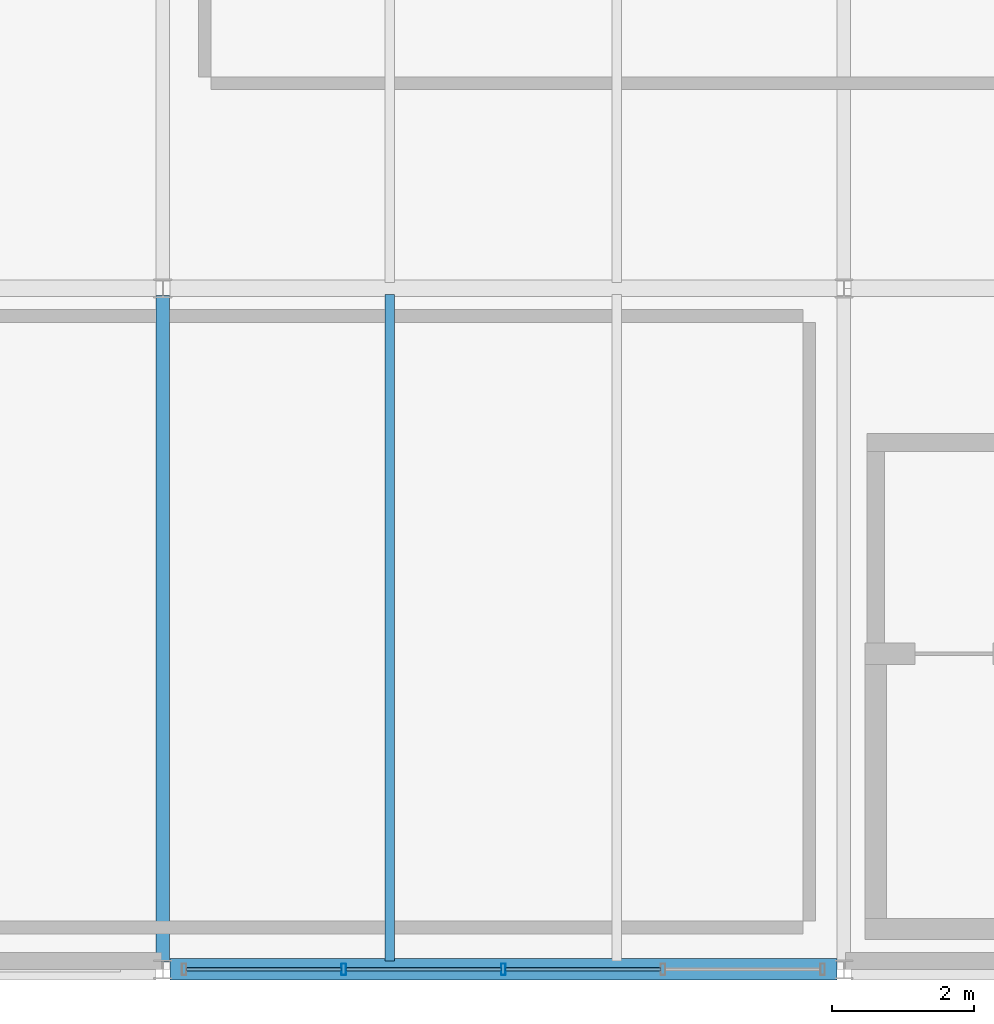
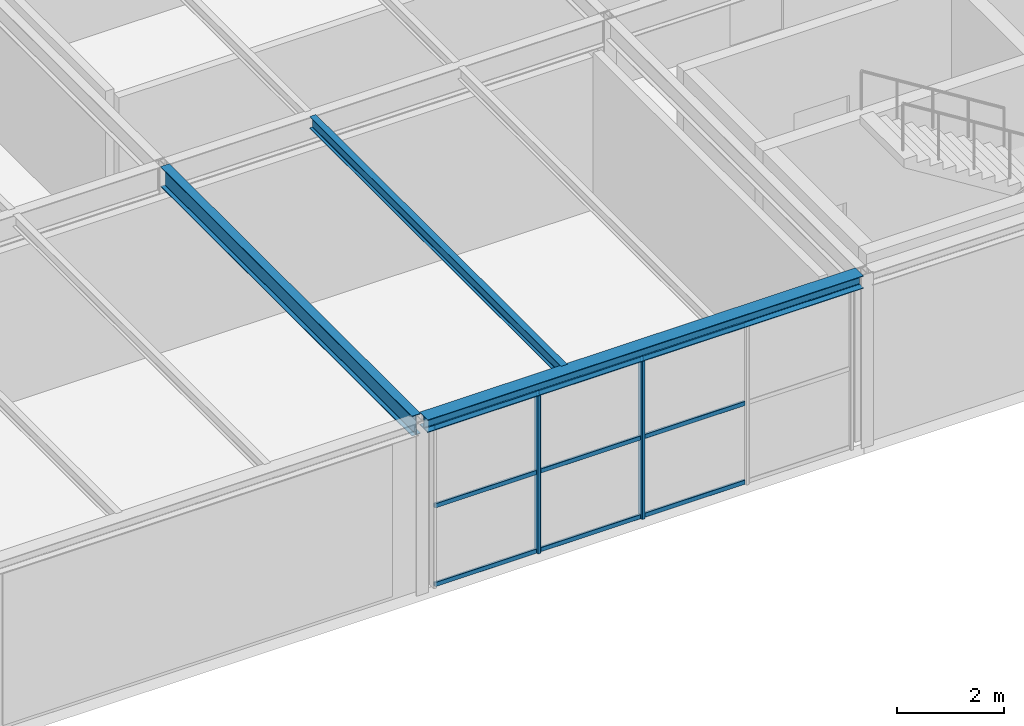
# One storey, part 6 of 39: 11 members, 3 beams, 1 element without a shape of its own.
"""IFC4 building model written with IfcOpenShell, lengths in metres."""

from ifc_helpers import new_model, si_unit, direction, frame, origin, origin_2d, place, context, subcontext, project, spatial, hollow_rectangle, i_section, extrude, material, material_profile, profile_set, type_object, element, aggregate, save


model = new_model("IFC4")

# Units and contexts
model_context = context("Model", 3, precision=1e-05, world=origin(), true_north=direction((0.0, 1.0)))
body_context = subcontext(model_context, "Body", "Model", "MODEL_VIEW")
ifc_project = project(units=[si_unit("LENGTHUNIT", "METRE"), si_unit("AREAUNIT", "SQUARE_METRE"), si_unit("VOLUMEUNIT", "CUBIC_METRE"), si_unit("PLANEANGLEUNIT", "RADIAN"), si_unit("MASSUNIT", "GRAM", prefix="KILO")], contexts=[model_context])

# Site, building, storey
site_placement = place(None, origin())
site = spatial("IfcSite", under=ifc_project, at=site_placement, CompositionType="ELEMENT")
building_placement = place(site_placement, origin())
building = spatial("IfcBuilding", under=site, at=building_placement, Name="Coralgate Yard Interchange", CompositionType="ELEMENT")
storey_placement = place(building_placement, frame((0.0, 0.0, 18.89990234375)))
storey = spatial("IfcBuildingStorey", under=building, at=storey_placement, Name="L04", CompositionType="ELEMENT", Elevation=18.89990234375)

# Beams
ifc_material_1 = material(Name="Structural steel S355J2", Category="steel")
ifc_material_profile_1 = material_profile(ifc_material_1, i_section(OverallWidth=0.1904296875, OverallDepth=0.45703125, WebThickness=0.009033203125, FlangeThickness=0.014404296875, FilletRadius=0.01025390625, at=origin_2d()), Name="UB 457x191x74")
ifc_profile_set_1 = profile_set([ifc_material_profile_1], Name="Structural steel S355J2")
beam_type_1 = type_object("IfcBeamType", Name="BM-SB-2", PredefinedType="BEAM", material=ifc_profile_set_1)
beam_1_placement = place(storey_placement, frame((9.60009765625, 0.103271484375, 3.7216796875), z_axis=(0.0, 1.0, 0.0), x_axis=(-1.0, 0.0, 0.0)))
element("IfcBeam", 1, at=beam_1_placement, inside=storey, type_object=beam_type_1, Name="L04 primary grid girder X1 Y0-1", PredefinedType="BEAM", context=body_context, shape_type="SweptSolid", body=[
    extrude(i_section(OverallWidth=0.1904296875, OverallDepth=0.45703125, WebThickness=0.009033203125, FlangeThickness=0.014404296875, FilletRadius=0.01025390625, at=origin_2d()), origin(), (0.0, 0.0, 1.0), 9.393310546875),
])
ifc_material_profile_2 = material_profile(ifc_material_1, i_section(OverallWidth=0.135009765625, OverallDepth=0.27001953125, WebThickness=0.006591796875, FlangeThickness=0.01025390625, FilletRadius=0.014892578125, at=origin_2d()), Name="IPE 270")
ifc_profile_set_2 = profile_set([ifc_material_profile_2], Name="Structural steel S355J2")
beam_type_2 = type_object("IfcBeamType", Name="BM-SJ-3", PredefinedType="JOIST", material=ifc_profile_set_2)
beam_2_placement = place(storey_placement, frame((12.800048828125, 0.1201171875, 3.815185546875), z_axis=(0.0, 1.0, 0.0), x_axis=(-1.0, 0.0, 0.0)))
element("IfcBeam", 2, at=beam_2_placement, inside=storey, type_object=beam_type_2, Name="L04 composite floor joist 1-0-1", PredefinedType="JOIST", context=body_context, shape_type="SweptSolid", body=[
    extrude(i_section(OverallWidth=0.135009765625, OverallDepth=0.27001953125, WebThickness=0.006591796875, FlangeThickness=0.01025390625, FilletRadius=0.014892578125, at=origin_2d()), origin(), (0.0, 0.0, 1.0), 9.395751953125),
])
ifc_material_profile_3 = material_profile(ifc_material_1, i_section(OverallWidth=0.300048828125, OverallDepth=0.2900390625, WebThickness=0.008544921875, FlangeThickness=0.013916015625, FilletRadius=0.027099609375, at=origin_2d()), Name="HEA 300")
ifc_profile_set_3 = profile_set([ifc_material_profile_3], Name="Structural steel S355J2")
beam_type_3 = type_object("IfcBeamType", Name="BM-SP-2", PredefinedType="SPANDREL", material=ifc_profile_set_3)
beam_3_placement = place(storey_placement, frame((9.699462890625, 0.0, 3.80517578125), z_axis=(1.0, 0.0, 0.0), x_axis=(0.0, 1.0, 0.0)))
element("IfcBeam", 3, at=beam_3_placement, inside=storey, type_object=beam_type_3, Name="L04 primary grid beam Y0 X1-2", PredefinedType="SPANDREL", context=body_context, shape_type="SweptSolid", body=[
    extrude(i_section(OverallWidth=0.300048828125, OverallDepth=0.2900390625, WebThickness=0.008544921875, FlangeThickness=0.013916015625, FilletRadius=0.027099609375, at=origin_2d()), origin(), (0.0, 0.0, 1.0), 9.401123046875),
])

# Curtain wall, members
ifc_material_2 = material(Name="Anodised coastal aluminium and solar-control low-E glass", Category="aluminium")
curtain_wall_type = type_object("IfcCurtainWallType", Name="CW-CW-L04-A", PredefinedType="NOTDEFINED", material=ifc_material_2)
curtain_wall_placement = place(storey_placement, origin())
curtain_wall = element("IfcCurtainWall", 4, at=curtain_wall_placement, inside=storey, type_object=curtain_wall_type, Name="L04 unitised curtain wall CW-L04-S-01-00", PredefinedType="NOTDEFINED")
ifc_material_3 = material(Name="Anodised coastal aluminium 6063-T6", Category="aluminium")
ifc_material_profile_4 = material_profile(ifc_material_3, hollow_rectangle(XDim=0.06494140625, YDim=0.159912109375, WallThickness=0.00390625, InnerFilletRadius=0.00390625, OuterFilletRadius=0.008056640625, at=origin_2d()), Name="ALU 65x160x4")
ifc_profile_set_4 = profile_set([ifc_material_profile_4], Name="Anodised coastal aluminium 6063-T6")
member_type_1 = type_object("IfcMemberType", Name="MB-MUL-160", PredefinedType="MULLION", material=ifc_profile_set_4)
member_1_placement = place(storey_placement, frame((14.39990234375, 0.0, 0.0), z_axis=(0.0, 0.0, 1.0), x_axis=(1.0, 0.0, 0.0)))
member_1 = element("IfcMember", 5, at=member_1_placement, type_object=member_type_1, Name="CW-L04-S-01-00 vertical mullion 3", PredefinedType="MULLION", context=body_context, shape_type="SweptSolid", body=[
    extrude(hollow_rectangle(XDim=0.06494140625, YDim=0.159912109375, WallThickness=0.00390625, InnerFilletRadius=0.00390625, OuterFilletRadius=0.008056640625, at=origin_2d()), origin(), (0.0, 0.0, 1.0), 3.66015625),
])
member_2_placement = place(storey_placement, frame((12.14990234375, 0.0, 0.0), z_axis=(0.0, 0.0, 1.0), x_axis=(1.0, 0.0, 0.0)))
member_2 = element("IfcMember", 6, at=member_2_placement, type_object=member_type_1, Name="CW-L04-S-01-00 vertical mullion 4", PredefinedType="MULLION", context=body_context, shape_type="SweptSolid", body=[
    extrude(hollow_rectangle(XDim=0.06494140625, YDim=0.159912109375, WallThickness=0.00390625, InnerFilletRadius=0.00390625, OuterFilletRadius=0.008056640625, at=origin_2d()), origin(), (0.0, 0.0, 1.0), 3.66015625),
])
ifc_material_profile_5 = material_profile(ifc_material_3, hollow_rectangle(XDim=0.050048828125, YDim=0.10009765625, WallThickness=0.0029296875, InnerFilletRadius=0.0029296875, OuterFilletRadius=0.006103515625, at=origin_2d()), Name="ALU 50x100x3")
ifc_profile_set_5 = profile_set([ifc_material_profile_5], Name="Anodised coastal aluminium 6063-T6")
member_type_2 = type_object("IfcMemberType", Name="MB-TRN-100", PredefinedType="USERDEFINED", material=ifc_profile_set_5)
member_3_placement = place(storey_placement, frame((16.6201171875, 0.0, 0.03515625), z_axis=(-1.0, 0.0, 0.0), x_axis=(0.0, -1.0, 0.0)))
member_3 = element("IfcMember", 7, at=member_3_placement, type_object=member_type_2, Name="CW-L04-S-01-00 horizontal transom 2-1", ObjectType="TRANSOM", PredefinedType="USERDEFINED", context=body_context, shape_type="SweptSolid", body=[
    extrude(hollow_rectangle(XDim=0.050048828125, YDim=0.10009765625, WallThickness=0.0029296875, InnerFilletRadius=0.0029296875, OuterFilletRadius=0.006103515625, at=origin_2d()), origin(), (0.0, 0.0, 1.0), 2.190185546875),
])
member_4_placement = place(storey_placement, frame((16.6201171875, 0.0, 1.830078125), z_axis=(-1.0, 0.0, 0.0), x_axis=(0.0, -1.0, 0.0)))
member_4 = element("IfcMember", 8, at=member_4_placement, type_object=member_type_2, Name="CW-L04-S-01-00 horizontal transom 2-2", ObjectType="TRANSOM", PredefinedType="USERDEFINED", context=body_context, shape_type="SweptSolid", body=[
    extrude(hollow_rectangle(XDim=0.050048828125, YDim=0.10009765625, WallThickness=0.0029296875, InnerFilletRadius=0.0029296875, OuterFilletRadius=0.006103515625, at=origin_2d()), origin(), (0.0, 0.0, 1.0), 2.190185546875),
])
member_5_placement = place(storey_placement, frame((16.6201171875, 0.0, 3.625), z_axis=(-1.0, 0.0, 0.0), x_axis=(0.0, -1.0, 0.0)))
member_5 = element("IfcMember", 9, at=member_5_placement, type_object=member_type_2, Name="CW-L04-S-01-00 horizontal transom 2-3", ObjectType="TRANSOM", PredefinedType="USERDEFINED", context=body_context, shape_type="SweptSolid", body=[
    extrude(hollow_rectangle(XDim=0.050048828125, YDim=0.10009765625, WallThickness=0.0029296875, InnerFilletRadius=0.0029296875, OuterFilletRadius=0.006103515625, at=origin_2d()), origin(), (0.0, 0.0, 1.0), 2.190185546875),
])
member_6_placement = place(storey_placement, frame((14.3701171875, 0.0, 0.03515625), z_axis=(-1.0, 0.0, 0.0), x_axis=(0.0, -1.0, 0.0)))
member_6 = element("IfcMember", 10, at=member_6_placement, type_object=member_type_2, Name="CW-L04-S-01-00 horizontal transom 3-1", ObjectType="TRANSOM", PredefinedType="USERDEFINED", context=body_context, shape_type="SweptSolid", body=[
    extrude(hollow_rectangle(XDim=0.050048828125, YDim=0.10009765625, WallThickness=0.0029296875, InnerFilletRadius=0.0029296875, OuterFilletRadius=0.006103515625, at=origin_2d()), origin(), (0.0, 0.0, 1.0), 2.190185546875),
])
member_7_placement = place(storey_placement, frame((14.3701171875, 0.0, 1.830078125), z_axis=(-1.0, 0.0, 0.0), x_axis=(0.0, -1.0, 0.0)))
member_7 = element("IfcMember", 11, at=member_7_placement, type_object=member_type_2, Name="CW-L04-S-01-00 horizontal transom 3-2", ObjectType="TRANSOM", PredefinedType="USERDEFINED", context=body_context, shape_type="SweptSolid", body=[
    extrude(hollow_rectangle(XDim=0.050048828125, YDim=0.10009765625, WallThickness=0.0029296875, InnerFilletRadius=0.0029296875, OuterFilletRadius=0.006103515625, at=origin_2d()), origin(), (0.0, 0.0, 1.0), 2.190185546875),
])
member_8_placement = place(storey_placement, frame((14.3701171875, 0.0, 3.625), z_axis=(-1.0, 0.0, 0.0), x_axis=(0.0, -1.0, 0.0)))
member_8 = element("IfcMember", 12, at=member_8_placement, type_object=member_type_2, Name="CW-L04-S-01-00 horizontal transom 3-3", ObjectType="TRANSOM", PredefinedType="USERDEFINED", context=body_context, shape_type="SweptSolid", body=[
    extrude(hollow_rectangle(XDim=0.050048828125, YDim=0.10009765625, WallThickness=0.0029296875, InnerFilletRadius=0.0029296875, OuterFilletRadius=0.006103515625, at=origin_2d()), origin(), (0.0, 0.0, 1.0), 2.190185546875),
])
member_9_placement = place(storey_placement, frame((12.1201171875, 0.0, 0.03515625), z_axis=(-1.0, 0.0, 0.0), x_axis=(0.0, -1.0, 0.0)))
member_9 = element("IfcMember", 13, at=member_9_placement, type_object=member_type_2, Name="CW-L04-S-01-00 horizontal transom 4-1", ObjectType="TRANSOM", PredefinedType="USERDEFINED", context=body_context, shape_type="SweptSolid", body=[
    extrude(hollow_rectangle(XDim=0.050048828125, YDim=0.10009765625, WallThickness=0.0029296875, InnerFilletRadius=0.0029296875, OuterFilletRadius=0.006103515625, at=origin_2d()), origin(), (0.0, 0.0, 1.0), 2.190185546875),
])
member_10_placement = place(storey_placement, frame((12.1201171875, 0.0, 1.830078125), z_axis=(-1.0, 0.0, 0.0), x_axis=(0.0, -1.0, 0.0)))
member_10 = element("IfcMember", 14, at=member_10_placement, type_object=member_type_2, Name="CW-L04-S-01-00 horizontal transom 4-2", ObjectType="TRANSOM", PredefinedType="USERDEFINED", context=body_context, shape_type="SweptSolid", body=[
    extrude(hollow_rectangle(XDim=0.050048828125, YDim=0.10009765625, WallThickness=0.0029296875, InnerFilletRadius=0.0029296875, OuterFilletRadius=0.006103515625, at=origin_2d()), origin(), (0.0, 0.0, 1.0), 2.190185546875),
])
member_11_placement = place(storey_placement, frame((12.1201171875, 0.0, 3.625), z_axis=(-1.0, 0.0, 0.0), x_axis=(0.0, -1.0, 0.0)))
member_11 = element("IfcMember", 15, at=member_11_placement, type_object=member_type_2, Name="CW-L04-S-01-00 horizontal transom 4-3", ObjectType="TRANSOM", PredefinedType="USERDEFINED", context=body_context, shape_type="SweptSolid", body=[
    extrude(hollow_rectangle(XDim=0.050048828125, YDim=0.10009765625, WallThickness=0.0029296875, InnerFilletRadius=0.0029296875, OuterFilletRadius=0.006103515625, at=origin_2d()), origin(), (0.0, 0.0, 1.0), 2.190185546875),
])
aggregate(curtain_wall, [member_1, member_2, member_3, member_4, member_5, member_6, member_7, member_8, member_9, member_10, member_11])

save(model, "model.ifc")
